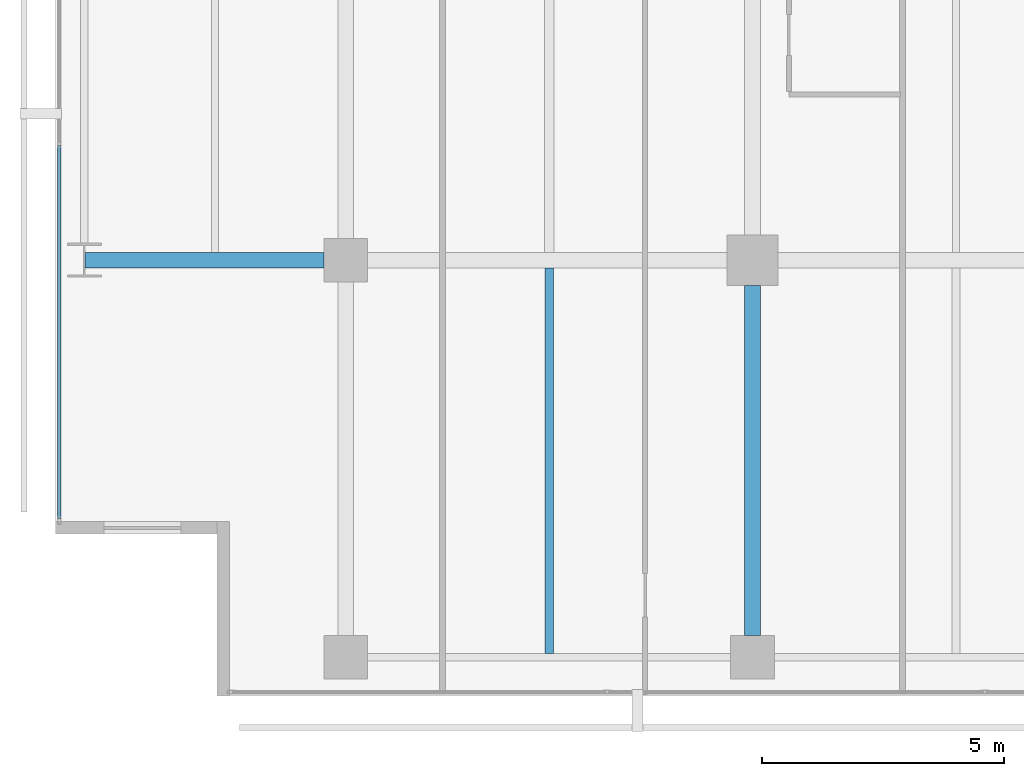
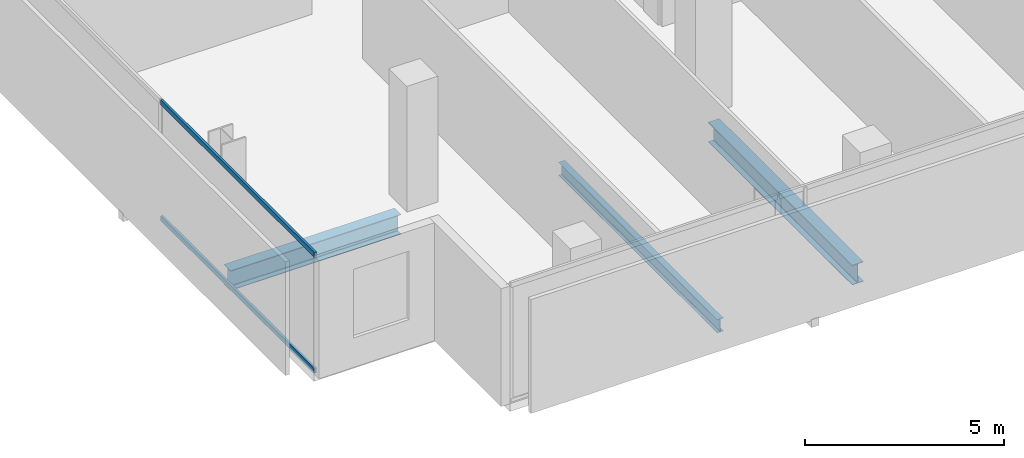
# One storey, part 4 of 40: 3 beams, 2 members, 1 element without a shape of its own.
"""IFC4 building model written with IfcOpenShell, lengths in metres."""

from ifc_helpers import new_model, si_unit, direction, frame, origin, origin_2d, place, context, subcontext, project, spatial, hollow_rectangle, i_section, extrude, material, layer, layer_set, material_profile, profile_set, type_object, element, aggregate, save


model = new_model("IFC4")

# Units and contexts
model_context = context("Model", 3, precision=1e-05, world=origin(), true_north=direction((0.0, 1.0)))
body_context = subcontext(model_context, "Body", "Model", "MODEL_VIEW")
ifc_project = project(units=[si_unit("LENGTHUNIT", "METRE"), si_unit("AREAUNIT", "SQUARE_METRE"), si_unit("VOLUMEUNIT", "CUBIC_METRE"), si_unit("PLANEANGLEUNIT", "RADIAN"), si_unit("MASSUNIT", "GRAM", prefix="KILO")], contexts=[model_context])

# Site, building, storey
site_placement = place(None, origin())
site = spatial("IfcSite", under=ifc_project, at=site_placement, CompositionType="ELEMENT")
building_placement = place(site_placement, origin())
building = spatial("IfcBuilding", under=site, at=building_placement, Name="Maruvema Waterfront Hotel and Observation Tower", CompositionType="ELEMENT")
storey_placement = place(building_placement, frame((0.0, 0.0, 103.949951171875)))
storey = spatial("IfcBuildingStorey", under=building, at=storey_placement, Name="L25", CompositionType="ELEMENT", Elevation=103.949951171875)

# Curtain wall, members
ifc_material_1 = material(Name="Anodised bronze aluminium and solar-control low-E IGU", Category="aluminium")
ifc_layer = layer(ifc_material_1, 0.159912109375, Name="Zone 1 Bronze Inner Thermal Curtain Wall System CW-02")
ifc_layer_set = layer_set([ifc_layer], Name="Anodised bronze aluminium and solar-control low-E IGU")
curtain_wall_type = type_object("IfcCurtainWallType", Name="Zone 1 Bronze Inner Thermal Curtain Wall System CW-02", PredefinedType="USERDEFINED", material=ifc_layer_set)
curtain_wall_placement = place(storey_placement, origin())
curtain_wall = element("IfcCurtainWall", 1, at=curtain_wall_placement, inside=storey, type_object=curtain_wall_type, Name="L25 Curtain Wall CW-L25-W", ObjectType="UNITISED CURTAIN WALL", PredefinedType="USERDEFINED")
ifc_material_2 = material(Name="Anodised architectural bronze aluminium", Category="aluminium")
ifc_material_profile_1 = material_profile(ifc_material_2, hollow_rectangle(XDim=0.070068359375, YDim=0.14990234375, WallThickness=0.00390625, at=origin_2d()), Name="ALU-T70x150")
ifc_profile_set_1 = profile_set([ifc_material_profile_1], Name="Anodised architectural bronze aluminium")
member_type = type_object("IfcMemberType", Name="Curtain Wall Horizontal Transom ALU-T70x150", PredefinedType="USERDEFINED", material=ifc_profile_set_1)
member_1_placement = place(storey_placement, frame((10.8798828125, 11.3701171875, 0.030029296875), z_axis=(0.0, -1.0, 0.0), x_axis=(1.0, 0.0, 0.0)))
member_1 = element("IfcMember", 2, at=member_1_placement, type_object=member_type, Name="CW-02 transom 6.1", ObjectType="TRANSOM", PredefinedType="USERDEFINED", context=body_context, shape_type="SweptSolid", body=[
    extrude(hollow_rectangle(XDim=0.070068359375, YDim=0.14990234375, WallThickness=0.00390625, at=origin_2d()), origin(), (0.0, 0.0, 1.0), 7.710205078125),
])
member_2_placement = place(storey_placement, frame((10.8798828125, 11.3701171875, 3.580078125), z_axis=(0.0, -1.0, 0.0), x_axis=(1.0, 0.0, 0.0)))
member_2 = element("IfcMember", 3, at=member_2_placement, type_object=member_type, Name="CW-02 transom 6.2", ObjectType="TRANSOM", PredefinedType="USERDEFINED", context=body_context, shape_type="SweptSolid", body=[
    extrude(hollow_rectangle(XDim=0.070068359375, YDim=0.14990234375, WallThickness=0.00390625, at=origin_2d()), origin(), (0.0, 0.0, 1.0), 7.710205078125),
])
aggregate(curtain_wall, [member_1, member_2])

# Beams
ifc_material_3 = material(Name="Steel ASTM A572 Grade 50", Category="steel")
ifc_material_profile_2 = material_profile(ifc_material_3, i_section(OverallWidth=0.323974609375, OverallDepth=0.611083984375, WebThickness=0.0126953125, FlangeThickness=0.01904296875, FilletRadius=0.01806640625, at=origin_2d()), Name="W610x155.0")
ifc_profile_set_2 = profile_set([ifc_material_profile_2], Name="Steel ASTM A572 Grade 50")
beam_type_1 = type_object("IfcBeamType", Name="Primary Floor Girder W610x155.0", PredefinedType="BEAM", material=ifc_profile_set_2)
beam_1_placement = place(storey_placement, frame((11.4140625, 9.0, -0.54541015625), z_axis=(1.0, 0.0, 0.0), x_axis=(0.0, 1.0, 0.0)))
element("IfcBeam", 4, at=beam_1_placement, inside=storey, type_object=beam_type_1, Name="L25 Floor Girder EW-06", PredefinedType="BEAM", context=body_context, shape_type="SweptSolid", body=[
    extrude(i_section(OverallWidth=0.323974609375, OverallDepth=0.611083984375, WebThickness=0.0126953125, FlangeThickness=0.01904296875, FilletRadius=0.01806640625, at=origin_2d()), origin(), (0.0, 0.0, 1.0), 4.93603515625),
])
beam_2_placement = place(storey_placement, frame((25.199951171875, 1.25, -0.54541015625), z_axis=(0.0, 1.0, 0.0), x_axis=(-1.0, 0.0, 0.0)))
element("IfcBeam", 5, at=beam_2_placement, inside=storey, type_object=beam_type_1, Name="L25 Floor Girder NS-11", PredefinedType="BEAM", context=body_context, shape_type="SweptSolid", body=[
    extrude(i_section(OverallWidth=0.323974609375, OverallDepth=0.611083984375, WebThickness=0.0126953125, FlangeThickness=0.01904296875, FilletRadius=0.01806640625, at=origin_2d()), origin(), (0.0, 0.0, 1.0), 7.22509765625),
])
ifc_material_4 = material(Name="Steel ASTM A572 Grade 50", Category="steel")
ifc_material_profile_3 = material_profile(ifc_material_4, i_section(OverallWidth=0.177001953125, OverallDepth=0.403076171875, WebThickness=0.007568359375, FlangeThickness=0.010986328125, FilletRadius=0.014892578125, at=origin_2d()), Name="W410x53.0")
ifc_profile_set_3 = profile_set([ifc_material_profile_3], Name="Steel ASTM A572 Grade 50")
beam_type_2 = type_object("IfcBeamType", Name="Secondary Floor Joist W410x53.0", PredefinedType="JOIST", material=ifc_profile_set_3)
beam_3_placement = place(storey_placement, frame((21.0, 0.87646484375, -0.44140625), z_axis=(0.0, 1.0, 0.0), x_axis=(-1.0, 0.0, 0.0)))
element("IfcBeam", 6, at=beam_3_placement, inside=storey, type_object=beam_type_2, Name="L25 Secondary Floor Joist JS-05", PredefinedType="JOIST", context=body_context, shape_type="SweptSolid", body=[
    extrude(i_section(OverallWidth=0.177001953125, OverallDepth=0.403076171875, WebThickness=0.007568359375, FlangeThickness=0.010986328125, FilletRadius=0.014892578125, at=origin_2d()), origin(), (0.0, 0.0, 1.0), 7.96142578125),
])

save(model, "model.ifc")
